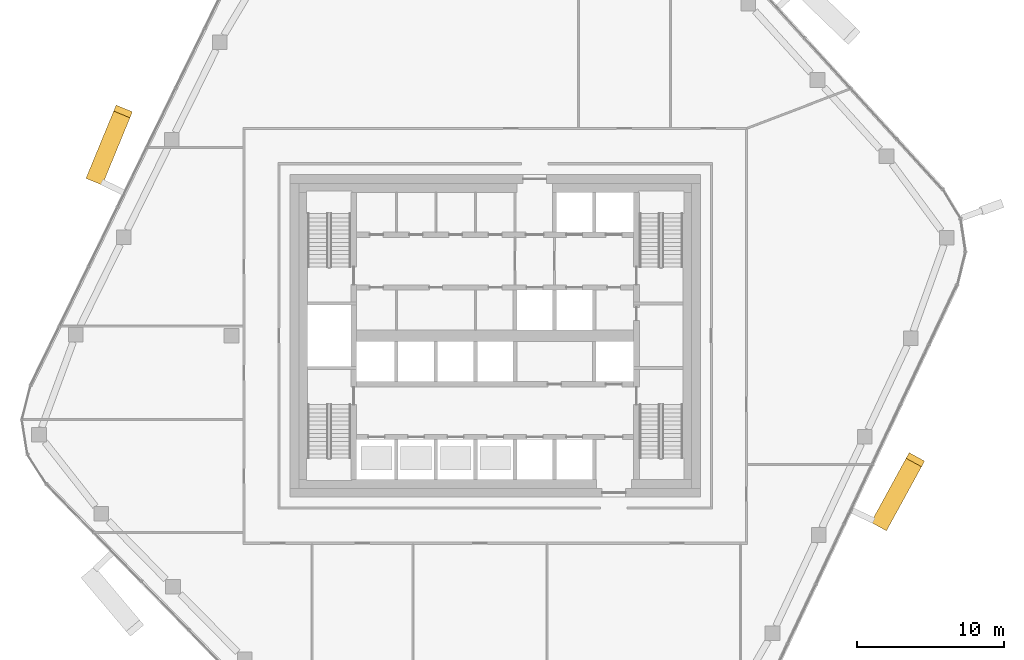
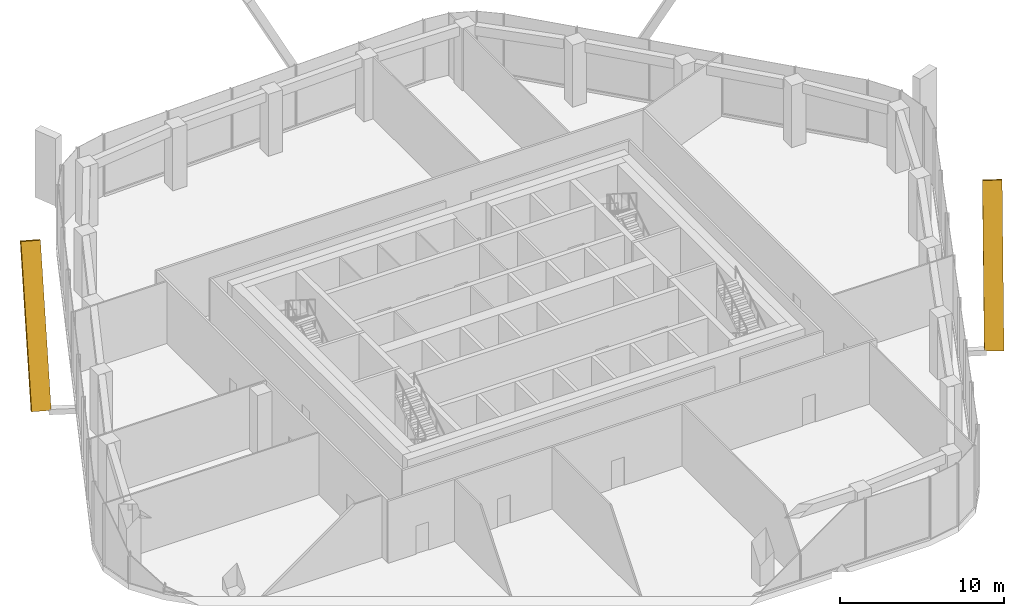
# One storey, part 16 of 20: 2 coverings, 2 elements without a shape of their own.
"""IFC4 building model written with IfcOpenShell, lengths in metres."""

import ifcopenshell
import ifcopenshell.guid

model = None  # the IFC model being written
_history = None  # IfcOwnerHistory: only IFC2X3 demands one
_inside = {}  # id of a spatial element -> (the spatial element, [elements in it])
_under = {}  # id of a project, library or spatial element -> (it, [spatial elements below it])
_declared = {}  # id of a project -> (the project, [libraries it declares])
_typed = {}  # id of a type object -> (the type object, [elements of that type])
_made_of = {}  # id of a material, layer set ... -> (it, [elements and type objects made of it])


def new_model(schema):
    """Start an empty IFC model of exactly this schema.

    Asked for "IFC4X3", IfcOpenShell would pick the latest addendum, in which some entities
    have other attributes; the version numbers below select the first issue.
    IFC2X3 requires an IfcOwnerHistory on every rooted entity: one is made here for all.
    """
    global model, _history
    if schema == "IFC4X3":
        model = ifcopenshell.file(schema_version=(4, 3, 0, 0))
    else:
        model = ifcopenshell.file(schema=schema)
    _inside.clear()
    _under.clear()
    _declared.clear()
    _typed.clear()
    _made_of.clear()
    _history = None
    if model.schema == "IFC2X3":
        org = make("IfcOrganization", Name="unknown")
        user = make(
            "IfcPersonAndOrganization",
            ThePerson=make("IfcPerson", FamilyName="unknown"),
            TheOrganization=org,
        )
        app = make(
            "IfcApplication",
            ApplicationDeveloper=org,
            Version="unknown",
            ApplicationFullName="unknown",
            ApplicationIdentifier="unknown",
        )
        _history = make(
            "IfcOwnerHistory",
            OwningUser=user,
            OwningApplication=app,
            ChangeAction="ADDED",
            CreationDate=0,
        )
    return model


def make(cls, **values):
    """One entity of the class cls with the attributes given. An attribute that is None is left unset."""
    return model.create_entity(
        cls, **{name: value for name, value in values.items() if value is not None}
    )


def rooted(cls, **values):
    """An entity with a GlobalId (a new one), such as an element, a storey or a relation."""
    return make(cls, GlobalId=ifcopenshell.guid.new(), OwnerHistory=_history, **values)


def si_unit(unit_type, name, prefix=None):
    """IfcSIUnit, for example si_unit("LENGTHUNIT", "METRE", prefix="MILLI")."""
    return make("IfcSIUnit", UnitType=unit_type, Prefix=prefix, Name=name)


def assignment(units):
    """IfcUnitAssignment: the units of a project."""
    return None if units is None else make("IfcUnitAssignment", Units=units)


def point(xyz):
    """IfcCartesianPoint."""
    return None if xyz is None else make("IfcCartesianPoint", Coordinates=xyz)


def direction(xyz):
    """IfcDirection."""
    return None if xyz is None else make("IfcDirection", DirectionRatios=xyz)


def frame(location, z_axis=None, x_axis=None):
    """IfcAxis2Placement3D, a coordinate frame: its origin and axes. An axis left out is left unset."""
    return make(
        "IfcAxis2Placement3D",
        Location=point(location),
        Axis=direction(z_axis),
        RefDirection=direction(x_axis),
    )


def frame_2d(location, x_axis=None):
    """IfcAxis2Placement2D, a coordinate frame in the plane: its origin and x axis."""
    return make(
        "IfcAxis2Placement2D", Location=point(location), RefDirection=direction(x_axis)
    )


def origin():
    """The frame at (0, 0, 0) with its axes left unset."""
    return frame((0.0, 0.0, 0.0))


def origin_2d():
    """The frame at (0, 0) in the plane with its x axis left unset."""
    return frame_2d((0.0, 0.0))


def place(relative_to, where):
    """IfcLocalPlacement: puts the frame where relative to a parent placement (None: the world)."""
    return make(
        "IfcLocalPlacement", PlacementRelTo=relative_to, RelativePlacement=where
    )


def context(
    kind, dimensions, precision=None, world=None, true_north=None, identifier=None
):
    """IfcGeometricRepresentationContext, for example the 3D "Model" context."""
    return make(
        "IfcGeometricRepresentationContext",
        ContextIdentifier=identifier,
        ContextType=kind,
        CoordinateSpaceDimension=dimensions,
        Precision=precision,
        WorldCoordinateSystem=world,
        TrueNorth=true_north,
    )


def subcontext(parent, identifier, kind, view, scale=None):
    """IfcGeometricRepresentationSubContext, for example "Body" below "Model"."""
    return make(
        "IfcGeometricRepresentationSubContext",
        ContextIdentifier=identifier,
        ContextType=kind,
        ParentContext=parent,
        TargetScale=scale,
        TargetView=view,
    )


def project(units=None, contexts=None):
    """IfcProject with its units and contexts."""
    return rooted(
        "IfcProject",
        Name="project",
        RepresentationContexts=contexts,
        UnitsInContext=assignment(units),
    )


def spatial(cls, under=None, at=None, **own):
    """A site, building, storey or space (cls), placed at a placement, below another one or the project."""
    s = rooted(cls, ObjectPlacement=at, **own)
    if under is not None:
        _under.setdefault(under.id(), (under, []))[1].append(s)
    return s


def profile(cls, at=None, kind="AREA", **sizes):
    """A parametric profile (cls). Its sizes go by their IFC names, for example OverallWidth=200.0."""
    return make(cls, ProfileType=kind, Position=at, **sizes)


def rectangle(**sizes):
    """IfcRectangleProfileDef."""
    return profile("IfcRectangleProfileDef", **sizes)


def extrude(swept, where, along, depth):
    """IfcExtrudedAreaSolid: the profile swept, set in the frame where, extruded along a direction by depth."""
    return make(
        "IfcExtrudedAreaSolid",
        SweptArea=swept,
        Position=where,
        ExtrudedDirection=direction(along),
        Depth=depth,
    )


def shape(context_of_items, identifier, shape_type, items):
    """IfcShapeRepresentation: the items that make up one representation, for example the "Body"."""
    return make(
        "IfcShapeRepresentation",
        ContextOfItems=context_of_items,
        RepresentationIdentifier=identifier,
        RepresentationType=shape_type,
        Items=items,
    )


def material(Name=None, Category=None):
    """IfcMaterial."""
    return make("IfcMaterial", Name=Name, Category=Category)


def layer(
    of_material, thickness, ventilated=None, Name=None, Category=None, Priority=None
):
    """IfcMaterialLayer: one layer of a wall or slab, of a material (None: an air gap)."""
    return make(
        "IfcMaterialLayer",
        Material=of_material,
        LayerThickness=thickness,
        IsVentilated=ventilated,
        Name=Name,
        Category=Category,
        Priority=Priority,
    )


def layer_set(layers, Name=None):
    """IfcMaterialLayerSet."""
    return make("IfcMaterialLayerSet", MaterialLayers=layers, LayerSetName=Name)


def material_profile(
    of_material, cross_section, Name=None, Category=None, Priority=None
):
    """IfcMaterialProfile: a cross section and its material."""
    return make(
        "IfcMaterialProfile",
        Name=Name,
        Material=of_material,
        Profile=cross_section,
        Priority=Priority,
        Category=Category,
    )


def profile_set(profiles, Name=None, composite=None):
    """IfcMaterialProfileSet."""
    return make(
        "IfcMaterialProfileSet",
        Name=Name,
        MaterialProfiles=profiles,
        CompositeProfile=composite,
    )


def made_of(thing, what):
    """Note that an element or type object is made of a material, layer set ...; save() writes the relation."""
    if what is not None:
        _made_of.setdefault(what.id(), (what, []))[1].append(thing)
    return thing


def type_object(cls, material=None, **own):
    """A type object (cls), such as IfcWallType, which elements share."""
    return made_of(rooted(cls, **own), material)


def element(
    cls,
    number,
    at=None,
    inside=None,
    cuts=None,
    type_object=None,
    material=None,
    context=None,
    identifier="Body",
    shape_type=None,
    held_by="IfcProductDefinitionShape",
    body=None,
    shapes=None,
    **own,
):
    """One element of the class cls, such as IfcWall. Its Tag is "e" and its number.

    at: its placement. inside: the storey or other place that contains it. cuts: it is an
    opening in that element (IfcRelVoidsElement). A single representation is given by context,
    identifier, shape_type and body (its items); several are given by shapes. held_by: the class
    of the entity that holds the representations. save() writes the other relations.
    """
    e = rooted(cls, Tag="e%d" % number, ObjectPlacement=at, **own)
    if body is not None:
        shapes = [shape(context, identifier, shape_type, body)]
    if shapes is not None:
        e.Representation = make(held_by, Representations=shapes)
    if inside is not None:
        _inside.setdefault(inside.id(), (inside, []))[1].append(e)
    if cuts is not None:
        rooted(
            "IfcRelVoidsElement", RelatingBuildingElement=cuts, RelatedOpeningElement=e
        )
    if type_object is not None:
        _typed.setdefault(type_object.id(), (type_object, []))[1].append(e)
    return made_of(e, material)


def aggregate(whole, parts):
    """IfcRelAggregates: a whole, such as a stair, and the parts it consists of."""
    return rooted("IfcRelAggregates", RelatingObject=whole, RelatedObjects=parts)


def save(model, path):
    """Write the relations noted so far, then the file.

    IfcRelAggregates (storeys below a building ...), IfcRelContainedInSpatialStructure (elements
    in a storey), IfcRelDefinesByType, IfcRelAssociatesMaterial and IfcRelDeclares: one each for
    every whole, place, type object, material and project.
    """
    for whole, parts in _under.values():
        aggregate(whole, parts)
    for where, things in _inside.values():
        rooted(
            "IfcRelContainedInSpatialStructure",
            RelatedElements=things,
            RelatingStructure=where,
        )
    for kind, things in _typed.values():
        rooted("IfcRelDefinesByType", RelatedObjects=things, RelatingType=kind)
    for what, things in _made_of.values():
        rooted("IfcRelAssociatesMaterial", RelatedObjects=things, RelatingMaterial=what)
    for by, libraries in _declared.values():
        rooted("IfcRelDeclares", RelatingContext=by, RelatedDefinitions=libraries)
    model.write(path)


model = new_model("IFC4")

# Units and contexts
model_context = context("Model", 3, precision=1e-05, world=origin(), true_north=direction((0.0, 1.0)))
body_context = subcontext(model_context, "Body", "Model", "MODEL_VIEW")
ifc_project = project(units=[si_unit("LENGTHUNIT", "METRE"), si_unit("AREAUNIT", "SQUARE_METRE"), si_unit("VOLUMEUNIT", "CUBIC_METRE"), si_unit("PLANEANGLEUNIT", "RADIAN"), si_unit("MASSUNIT", "GRAM", prefix="KILO")], contexts=[model_context])

# Site, building, storey
site_placement = place(None, origin())
site = spatial("IfcSite", under=ifc_project, at=site_placement, CompositionType="ELEMENT")
building_placement = place(site_placement, origin())
building = spatial("IfcBuilding", under=site, at=building_placement, Name="Dongbaek Canopy Tower", CompositionType="ELEMENT")
storey_placement = place(building_placement, frame((0.0, 0.0, 289.199951171875)))
storey = spatial("IfcBuildingStorey", under=building, at=storey_placement, Name="L61", CompositionType="ELEMENT", Elevation=289.199951171875)

# Curtain wall, covering
ifc_material_1 = material(Name="Aluminium 6063-T6 pale anodised", Category="aluminium")
ifc_layer = layer(ifc_material_1, 0.25)
ifc_layer_set = layer_set([ifc_layer], Name="CW-4 sky-lobby curtain wall")
curtain_wall_type = type_object("IfcCurtainWallType", Name="CW-4 sky-lobby curtain wall", PredefinedType="NOTDEFINED", material=ifc_layer_set)
curtain_wall_1_placement = place(storey_placement, origin())
curtain_wall_1 = element("IfcCurtainWall", 1, at=curtain_wall_1_placement, inside=storey, type_object=curtain_wall_type, Name="CW-4 curtain wall F5.1", PredefinedType="NOTDEFINED")
ifc_material_2 = material(Name="Aluminium 6063-T6 pale metal fin", Category="aluminium")
ifc_material_profile = material_profile(ifc_material_2, rectangle(XDim=1.199951171875, YDim=0.5, at=origin_2d()), Name="Crease fin CF1 500 x 1200 pale metal")
ifc_profile_set = profile_set([ifc_material_profile], Name="Aluminium 6063-T6 pale metal fin")
covering_type = type_object("IfcCoveringType", Name="Crease fin CF1 500 x 1200 pale metal", PredefinedType="CLADDING", material=ifc_profile_set)
covering_1_placement = place(storey_placement, frame((26.279052734375, -12.8232421875, -0.224853515625), z_axis=(0.227999050414, 0.416610101609, 0.880029804181), x_axis=(-0.877224485048, 0.480080412882, 0.0)))
covering_1 = element("IfcCovering", 2, at=covering_1_placement, type_object=covering_type, Name="Crease fin L61 L63 F5", PredefinedType="CLADDING", context=body_context, shape_type="SweptSolid", body=[
    extrude(rectangle(XDim=1.199951171875, YDim=0.5, at=origin_2d()), origin(), (0.0, 0.0, 1.0), 10.493896484375),
])
aggregate(curtain_wall_1, [covering_1])

curtain_wall_2_placement = place(storey_placement, origin())
curtain_wall_2 = element("IfcCurtainWall", 3, at=curtain_wall_2_placement, inside=storey, type_object=curtain_wall_type, Name="CW-4 curtain wall F2.1", PredefinedType="NOTDEFINED")
covering_2_placement = place(storey_placement, frame((-27.288818359375, 10.722412109375, -0.224853515625), z_axis=(0.180384856857, 0.437864622847, 0.880758693103), x_axis=(-0.924612914898, 0.380908069754, 0.0)))
covering_2 = element("IfcCovering", 4, at=covering_2_placement, type_object=covering_type, Name="Crease fin L61 L63 F2", PredefinedType="CLADDING", context=body_context, shape_type="SweptSolid", body=[
    extrude(rectangle(XDim=1.199951171875, YDim=0.5, at=origin_2d()), origin(), (0.0, 0.0, 1.0), 10.485107421875),
])
aggregate(curtain_wall_2, [covering_2])

save(model, "model.ifc")
